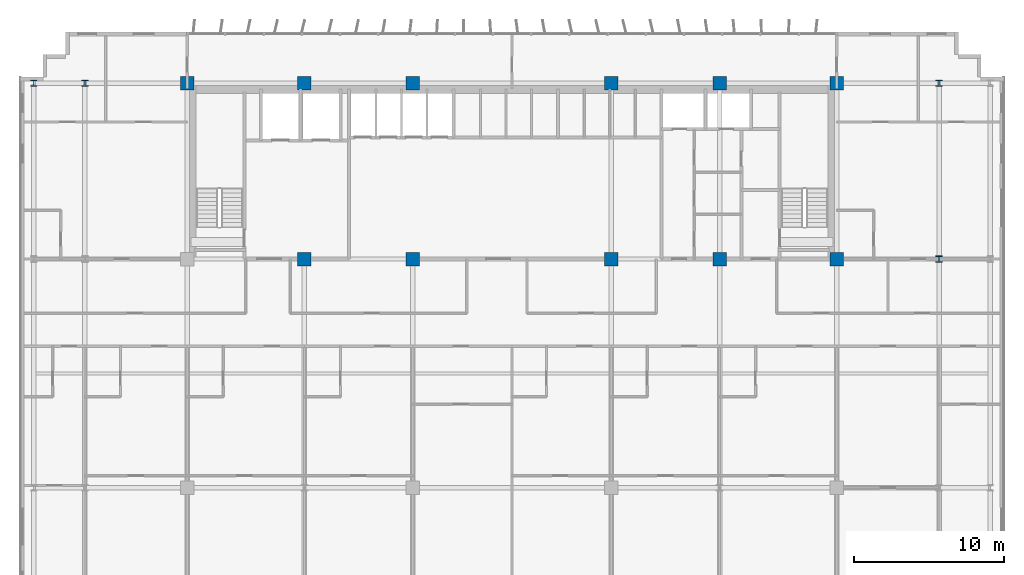
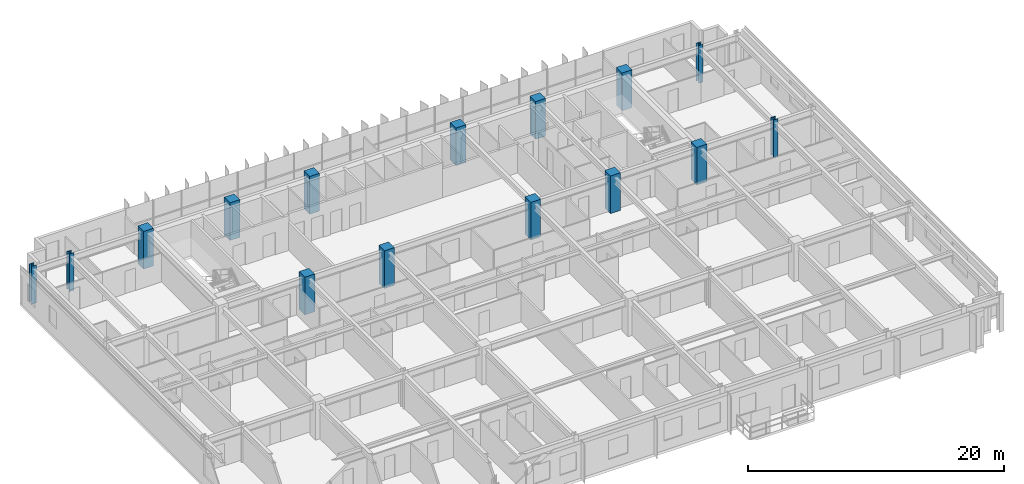
# One storey, part 2 of 24: 15 columns.
"""IFC4 building model written with IfcOpenShell, lengths in metres."""

from ifc_helpers import new_model, si_unit, direction, frame, origin, origin_2d, place, context, subcontext, project, spatial, rectangle, i_section, extrude, source, transform, mapped, material, material_profile, profile_set, type_object, element, save


model = new_model("IFC4")

# Units and contexts
model_context = context("Model", 3, precision=1e-05, world=origin(), true_north=direction((0.0, 1.0)))
body_context = subcontext(model_context, "Body", "Model", "MODEL_VIEW")
ifc_project = project(units=[si_unit("LENGTHUNIT", "METRE"), si_unit("AREAUNIT", "SQUARE_METRE"), si_unit("VOLUMEUNIT", "CUBIC_METRE"), si_unit("PLANEANGLEUNIT", "RADIAN"), si_unit("MASSUNIT", "GRAM", prefix="KILO")], contexts=[model_context])

# Site, building, storey
site_placement = place(None, origin())
site = spatial("IfcSite", under=ifc_project, at=site_placement, CompositionType="ELEMENT")
building_placement = place(site_placement, origin())
building = spatial("IfcBuilding", under=site, at=building_placement, Name="Trelvane Seafront Commons", CompositionType="ELEMENT")
storey_placement = place(building_placement, frame((0.0, 0.0, 30.699951171875)))
storey = spatial("IfcBuildingStorey", under=building, at=storey_placement, Name="L07", CompositionType="ELEMENT", Elevation=30.699951171875)

# Columns
ifc_material_1 = material(Name="Steel SM355 (S355)", Category="steel")
ifc_material_profile_1 = material_profile(ifc_material_1, i_section(OverallWidth=0.419921875, OverallDepth=0.419921875, WebThickness=0.02587890625, FlangeThickness=0.0400390625, at=origin_2d()), Name="HD-420x420x26x40")
ifc_profile_set_1 = profile_set([ifc_material_profile_1], Name="Steel SM355 (S355)")
column_type_1 = type_object("IfcColumnType", Name="STR-COL-HD420", PredefinedType="COLUMN", material=ifc_profile_set_1)
shared_shape_1 = source(origin(), body_context, "Body", "SweptSolid", [
    extrude(i_section(OverallWidth=0.419921875, OverallDepth=0.419921875, WebThickness=0.02587890625, FlangeThickness=0.0400390625, at=origin_2d()), origin(), (0.0, 0.0, 1.0), 3.60009765625),
])
for number, where, z_axis, x_axis, name in (
    (1, (5.39990234375, 45.10009765625, 0.0), (0.0, 0.0, 1.0), (1.0, 0.0, 0.0), "L07 Column TC-CN5.4"),
    (2, (8.800048828125, 45.10009765625, 0.0), (0.0, 0.0, 1.0), (1.0, 0.0, 0.0), "L07 Column TC-CN8.8"),
    (3, (65.60009765625, 33.39990234375, 0.0), (0.0, 0.0, 1.0), (1.0, 0.0, 0.0), "L07 Column TC-CS65.6"),
    (4, (65.60009765625, 45.10009765625, 0.0), (0.0, 0.0, 1.0), (1.0, 0.0, 0.0), "L07 Column TC-CN65.6"),
):
    element("IfcColumn", number, at=place(storey_placement, frame(where, z_axis=z_axis, x_axis=x_axis)), inside=storey, type_object=column_type_1, Name=name, PredefinedType="COLUMN", context=body_context, shape_type="MappedRepresentation", body=[
        mapped(shared_shape_1, transform((0.0, 0.0, 0.0), x_axis=(1.0, 0.0, 0.0), y_axis=(0.0, 1.0, 0.0), z_axis=(0.0, 0.0, 1.0), scale=1.0)),
    ])
ifc_material_2 = material(Name="Concrete C60/75", Category="concrete")
ifc_material_profile_2 = material_profile(ifc_material_2, rectangle(XDim=0.89990234375, YDim=0.89990234375, at=origin_2d()), Name="RC-900x900")
ifc_profile_set_2 = profile_set([ifc_material_profile_2], Name="Concrete C60/75")
column_type_2 = type_object("IfcColumnType", Name="STR-COL-RC900", PredefinedType="COLUMN", material=ifc_profile_set_2)
shared_shape_2 = source(origin(), body_context, "Body", "SweptSolid", [
    extrude(rectangle(XDim=0.89990234375, YDim=0.89990234375, at=origin_2d()), origin(), (0.0, 0.0, 1.0), 3.60009765625),
])
for number, where, z_axis, x_axis, name in (
    (5, (15.60009765625, 45.10009765625, 0.0), (0.0, 0.0, 1.0), (1.0, 0.0, 0.0), "L07 Column TC-CN15.6"),
    (6, (23.39990234375, 33.39990234375, 0.0), (0.0, 0.0, 1.0), (1.0, 0.0, 0.0), "L07 Column TC-CS23.4"),
    (7, (23.39990234375, 45.10009765625, 0.0), (0.0, 0.0, 1.0), (1.0, 0.0, 0.0), "L07 Column TC-CN23.4"),
    (8, (30.60009765625, 33.39990234375, 0.0), (0.0, 0.0, 1.0), (1.0, 0.0, 0.0), "L07 Column TC-CS30.6"),
    (9, (30.60009765625, 45.10009765625, 0.0), (0.0, 0.0, 1.0), (1.0, 0.0, 0.0), "L07 Column TC-CN30.6"),
    (10, (43.800048828125, 33.39990234375, 0.0), (0.0, 0.0, 1.0), (1.0, 0.0, 0.0), "L07 Column TC-CS43.8"),
    (11, (43.800048828125, 45.10009765625, 0.0), (0.0, 0.0, 1.0), (1.0, 0.0, 0.0), "L07 Column TC-CN43.8"),
    (12, (51.0, 33.39990234375, 0.0), (0.0, 0.0, 1.0), (1.0, 0.0, 0.0), "L07 Column TC-CS51.0"),
    (13, (51.0, 45.10009765625, 0.0), (0.0, 0.0, 1.0), (1.0, 0.0, 0.0), "L07 Column TC-CN51.0"),
    (14, (58.800048828125, 33.39990234375, 0.0), (0.0, 0.0, 1.0), (1.0, 0.0, 0.0), "L07 Column TC-CS58.8"),
    (15, (58.800048828125, 45.10009765625, 0.0), (0.0, 0.0, 1.0), (1.0, 0.0, 0.0), "L07 Column TC-CN58.8"),
):
    element("IfcColumn", number, at=place(storey_placement, frame(where, z_axis=z_axis, x_axis=x_axis)), inside=storey, type_object=column_type_2, Name=name, PredefinedType="COLUMN", context=body_context, shape_type="MappedRepresentation", body=[
        mapped(shared_shape_2, transform((0.0, 0.0, 0.0), x_axis=(1.0, 0.0, 0.0), y_axis=(0.0, 1.0, 0.0), z_axis=(0.0, 0.0, 1.0), scale=1.0)),
    ])

save(model, "model.ifc")
